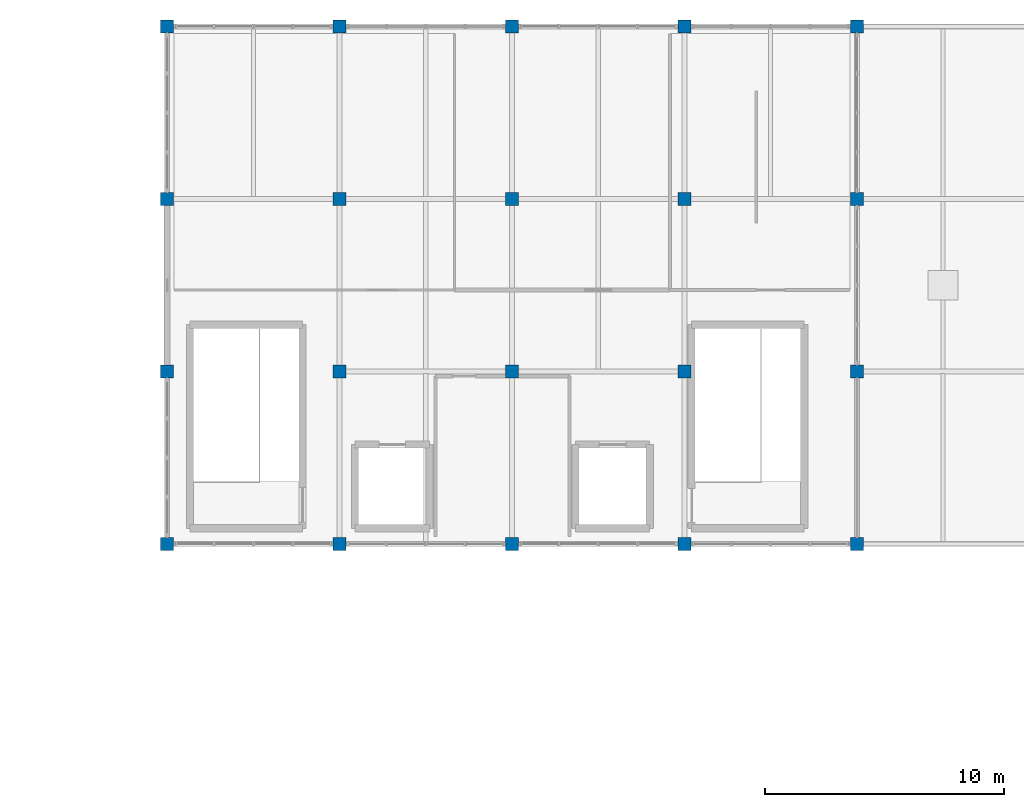
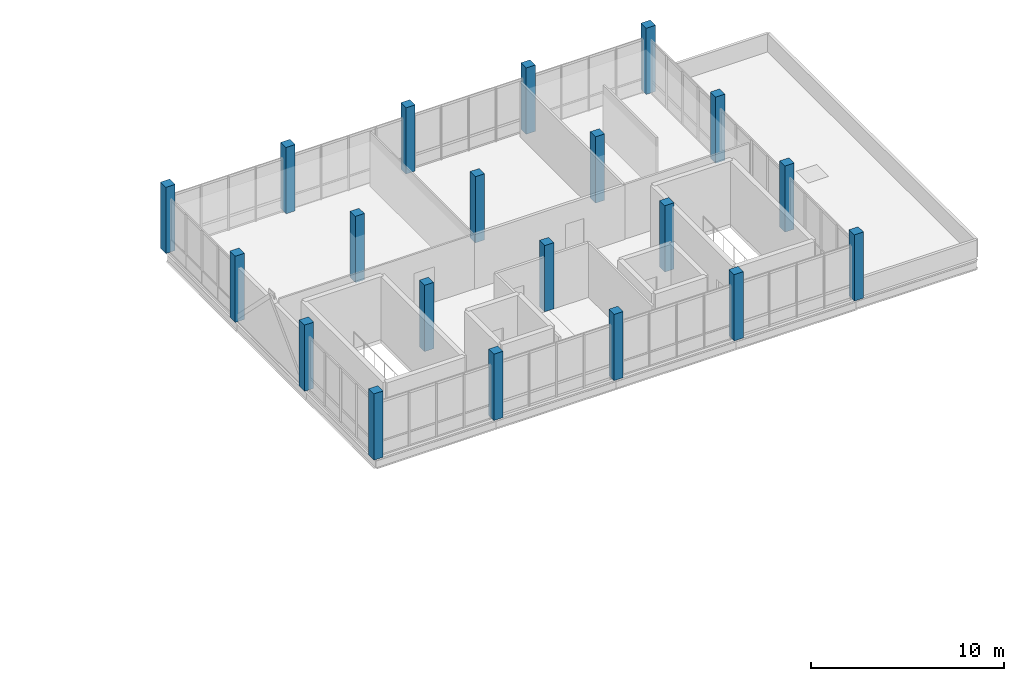
# One storey, part 2 of 28: 20 columns.
"""IFC4 building model written with IfcOpenShell, lengths in metres."""

from ifc_helpers import new_model, si_unit, direction, frame, origin, origin_2d, place, context, subcontext, project, spatial, rectangle, extrude, material, material_profile, profile_set, type_object, element, save


model = new_model("IFC4")

# Units and contexts
model_context = context("Model", 3, precision=1e-05, world=origin(), true_north=direction((0.0, 1.0)))
body_context = subcontext(model_context, "Body", "Model", "MODEL_VIEW")
ifc_project = project(units=[si_unit("LENGTHUNIT", "METRE"), si_unit("AREAUNIT", "SQUARE_METRE"), si_unit("VOLUMEUNIT", "CUBIC_METRE"), si_unit("PLANEANGLEUNIT", "RADIAN"), si_unit("MASSUNIT", "GRAM", prefix="KILO")], contexts=[model_context])

# Site, building, storey
site_placement = place(None, origin())
site = spatial("IfcSite", under=ifc_project, at=site_placement, CompositionType="ELEMENT")
building_placement = place(site_placement, origin())
building = spatial("IfcBuilding", under=site, at=building_placement, Name="Yarey Park Central Fire Station", CompositionType="ELEMENT")
storey_placement = place(building_placement, frame((0.0, 0.0, 22.199951171875)))
storey = spatial("IfcBuildingStorey", under=building, at=storey_placement, Name="L06", CompositionType="ELEMENT", Elevation=22.199951171875)

# Columns
ifc_material = material(Name="Concrete C40/50", Category="concrete")
ifc_material_profile_1 = material_profile(ifc_material, rectangle(XDim=0.550048828125, YDim=0.550048828125, at=origin_2d()), Name="RC 550x550")
ifc_profile_set_1 = profile_set([ifc_material_profile_1], Name="Concrete C40/50")
column_type_1 = type_object("IfcColumnType", Name="STR_COL_RC550_EXT", PredefinedType="COLUMN", material=ifc_profile_set_1)
for number, where, z_axis, x_axis, name in (
    (1, (115.199951171875, 93.60009765625, 0.0), (0.0, 0.0, 1.0), (1.0, 0.0, 0.0), "COL_L06_X1152_Y936"),
    (2, (115.199951171875, 100.800048828125, 0.0), (0.0, 0.0, 1.0), (1.0, 0.0, 0.0), "COL_L06_X1152_Y1008"),
    (3, (115.199951171875, 108.0, 0.0), (0.0, 0.0, 1.0), (1.0, 0.0, 0.0), "COL_L06_X1152_Y1080"),
    (4, (115.199951171875, 115.199951171875, 0.0), (0.0, 0.0, 1.0), (1.0, 0.0, 0.0), "COL_L06_X1152_Y1152"),
    (5, (122.39990234375, 93.60009765625, 0.0), (0.0, 0.0, 1.0), (1.0, 0.0, 0.0), "COL_L06_X1224_Y936"),
    (6, (122.39990234375, 115.199951171875, 0.0), (0.0, 0.0, 1.0), (1.0, 0.0, 0.0), "COL_L06_X1224_Y1152"),
    (7, (129.60009765625, 93.60009765625, 0.0), (0.0, 0.0, 1.0), (1.0, 0.0, 0.0), "COL_L06_X1296_Y936"),
    (8, (129.60009765625, 115.199951171875, 0.0), (0.0, 0.0, 1.0), (1.0, 0.0, 0.0), "COL_L06_X1296_Y1152"),
    (9, (136.800048828125, 93.60009765625, 0.0), (0.0, 0.0, 1.0), (1.0, 0.0, 0.0), "COL_L06_X1368_Y936"),
    (10, (136.800048828125, 115.199951171875, 0.0), (0.0, 0.0, 1.0), (1.0, 0.0, 0.0), "COL_L06_X1368_Y1152"),
    (11, (144.0, 93.60009765625, 0.0), (0.0, 0.0, 1.0), (1.0, 0.0, 0.0), "COL_L06_X1440_Y936"),
    (12, (144.0, 100.800048828125, 0.0), (0.0, 0.0, 1.0), (1.0, 0.0, 0.0), "COL_L06_X1440_Y1008"),
    (13, (144.0, 108.0, 0.0), (0.0, 0.0, 1.0), (1.0, 0.0, 0.0), "COL_L06_X1440_Y1080"),
    (14, (144.0, 115.199951171875, 0.0), (0.0, 0.0, 1.0), (1.0, 0.0, 0.0), "COL_L06_X1440_Y1152"),
):
    element("IfcColumn", number, at=place(storey_placement, frame(where, z_axis=z_axis, x_axis=x_axis)), inside=storey, type_object=column_type_1, Name=name, PredefinedType="COLUMN", context=body_context, shape_type="SweptSolid", body=[
        extrude(rectangle(XDim=0.550048828125, YDim=0.550048828125, at=origin_2d()), origin(), (0.0, 0.0, 1.0), 4.199951171875),
    ])
ifc_material_profile_2 = material_profile(ifc_material, rectangle(XDim=0.550048828125, YDim=0.550048828125, at=origin_2d()), Name="RC 550x550")
ifc_profile_set_2 = profile_set([ifc_material_profile_2], Name="Concrete C40/50")
column_type_2 = type_object("IfcColumnType", Name="STR_COL_RC550_INT", PredefinedType="COLUMN", material=ifc_profile_set_2)
for number, where, z_axis, x_axis, name in (
    (15, (122.39990234375, 100.800048828125, 0.0), (0.0, 0.0, 1.0), (1.0, 0.0, 0.0), "COL_L06_X1224_Y1008"),
    (16, (122.39990234375, 108.0, 0.0), (0.0, 0.0, 1.0), (1.0, 0.0, 0.0), "COL_L06_X1224_Y1080"),
    (17, (129.60009765625, 100.800048828125, 0.0), (0.0, 0.0, 1.0), (1.0, 0.0, 0.0), "COL_L06_X1296_Y1008"),
    (18, (129.60009765625, 108.0, 0.0), (0.0, 0.0, 1.0), (1.0, 0.0, 0.0), "COL_L06_X1296_Y1080"),
    (19, (136.800048828125, 100.800048828125, 0.0), (0.0, 0.0, 1.0), (1.0, 0.0, 0.0), "COL_L06_X1368_Y1008"),
    (20, (136.800048828125, 108.0, 0.0), (0.0, 0.0, 1.0), (1.0, 0.0, 0.0), "COL_L06_X1368_Y1080"),
):
    element("IfcColumn", number, at=place(storey_placement, frame(where, z_axis=z_axis, x_axis=x_axis)), inside=storey, type_object=column_type_2, Name=name, PredefinedType="COLUMN", context=body_context, shape_type="SweptSolid", body=[
        extrude(rectangle(XDim=0.550048828125, YDim=0.550048828125, at=origin_2d()), origin(), (0.0, 0.0, 1.0), 4.199951171875),
    ])

save(model, "model.ifc")
